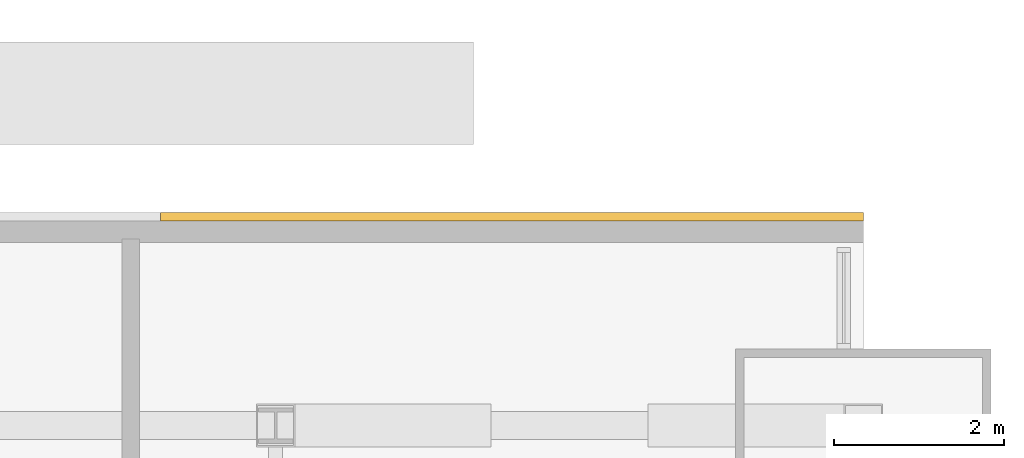
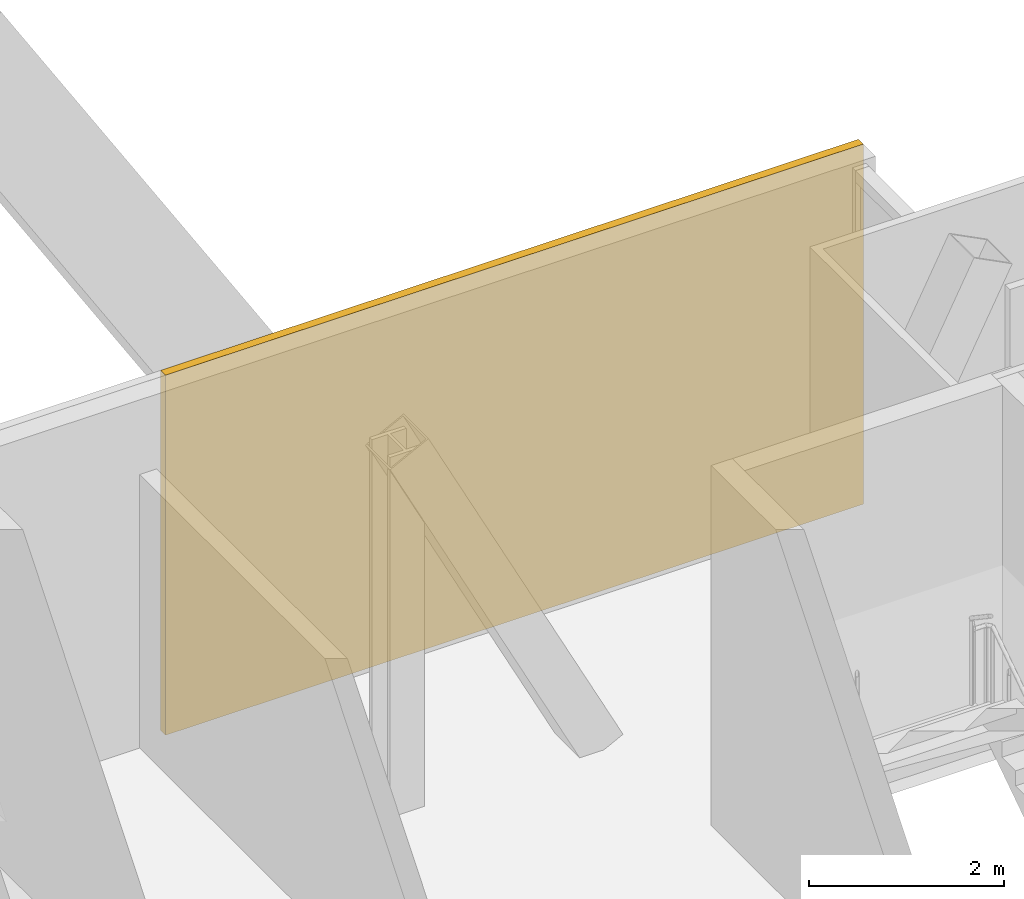
# One storey, part 23 of 23: 1 covering.
"""IFC4 building model written with IfcOpenShell, lengths in metres."""

import ifcopenshell
import ifcopenshell.guid

model = None  # the IFC model being written
_history = None  # IfcOwnerHistory: only IFC2X3 demands one
_inside = {}  # id of a spatial element -> (the spatial element, [elements in it])
_under = {}  # id of a project, library or spatial element -> (it, [spatial elements below it])
_declared = {}  # id of a project -> (the project, [libraries it declares])
_typed = {}  # id of a type object -> (the type object, [elements of that type])
_made_of = {}  # id of a material, layer set ... -> (it, [elements and type objects made of it])


def new_model(schema):
    """Start an empty IFC model of exactly this schema.

    Asked for "IFC4X3", IfcOpenShell would pick the latest addendum, in which some entities
    have other attributes; the version numbers below select the first issue.
    IFC2X3 requires an IfcOwnerHistory on every rooted entity: one is made here for all.
    """
    global model, _history
    if schema == "IFC4X3":
        model = ifcopenshell.file(schema_version=(4, 3, 0, 0))
    else:
        model = ifcopenshell.file(schema=schema)
    _inside.clear()
    _under.clear()
    _declared.clear()
    _typed.clear()
    _made_of.clear()
    _history = None
    if model.schema == "IFC2X3":
        org = make("IfcOrganization", Name="unknown")
        user = make(
            "IfcPersonAndOrganization",
            ThePerson=make("IfcPerson", FamilyName="unknown"),
            TheOrganization=org,
        )
        app = make(
            "IfcApplication",
            ApplicationDeveloper=org,
            Version="unknown",
            ApplicationFullName="unknown",
            ApplicationIdentifier="unknown",
        )
        _history = make(
            "IfcOwnerHistory",
            OwningUser=user,
            OwningApplication=app,
            ChangeAction="ADDED",
            CreationDate=0,
        )
    return model


def make(cls, **values):
    """One entity of the class cls with the attributes given. An attribute that is None is left unset."""
    return model.create_entity(
        cls, **{name: value for name, value in values.items() if value is not None}
    )


def rooted(cls, **values):
    """An entity with a GlobalId (a new one), such as an element, a storey or a relation."""
    return make(cls, GlobalId=ifcopenshell.guid.new(), OwnerHistory=_history, **values)


def si_unit(unit_type, name, prefix=None):
    """IfcSIUnit, for example si_unit("LENGTHUNIT", "METRE", prefix="MILLI")."""
    return make("IfcSIUnit", UnitType=unit_type, Prefix=prefix, Name=name)


def assignment(units):
    """IfcUnitAssignment: the units of a project."""
    return None if units is None else make("IfcUnitAssignment", Units=units)


def point(xyz):
    """IfcCartesianPoint."""
    return None if xyz is None else make("IfcCartesianPoint", Coordinates=xyz)


def direction(xyz):
    """IfcDirection."""
    return None if xyz is None else make("IfcDirection", DirectionRatios=xyz)


def frame(location, z_axis=None, x_axis=None):
    """IfcAxis2Placement3D, a coordinate frame: its origin and axes. An axis left out is left unset."""
    return make(
        "IfcAxis2Placement3D",
        Location=point(location),
        Axis=direction(z_axis),
        RefDirection=direction(x_axis),
    )


def frame_2d(location, x_axis=None):
    """IfcAxis2Placement2D, a coordinate frame in the plane: its origin and x axis."""
    return make(
        "IfcAxis2Placement2D", Location=point(location), RefDirection=direction(x_axis)
    )


def origin():
    """The frame at (0, 0, 0) with its axes left unset."""
    return frame((0.0, 0.0, 0.0))


def origin_2d():
    """The frame at (0, 0) in the plane with its x axis left unset."""
    return frame_2d((0.0, 0.0))


def place(relative_to, where):
    """IfcLocalPlacement: puts the frame where relative to a parent placement (None: the world)."""
    return make(
        "IfcLocalPlacement", PlacementRelTo=relative_to, RelativePlacement=where
    )


def context(
    kind, dimensions, precision=None, world=None, true_north=None, identifier=None
):
    """IfcGeometricRepresentationContext, for example the 3D "Model" context."""
    return make(
        "IfcGeometricRepresentationContext",
        ContextIdentifier=identifier,
        ContextType=kind,
        CoordinateSpaceDimension=dimensions,
        Precision=precision,
        WorldCoordinateSystem=world,
        TrueNorth=true_north,
    )


def subcontext(parent, identifier, kind, view, scale=None):
    """IfcGeometricRepresentationSubContext, for example "Body" below "Model"."""
    return make(
        "IfcGeometricRepresentationSubContext",
        ContextIdentifier=identifier,
        ContextType=kind,
        ParentContext=parent,
        TargetScale=scale,
        TargetView=view,
    )


def project(units=None, contexts=None):
    """IfcProject with its units and contexts."""
    return rooted(
        "IfcProject",
        Name="project",
        RepresentationContexts=contexts,
        UnitsInContext=assignment(units),
    )


def spatial(cls, under=None, at=None, **own):
    """A site, building, storey or space (cls), placed at a placement, below another one or the project."""
    s = rooted(cls, ObjectPlacement=at, **own)
    if under is not None:
        _under.setdefault(under.id(), (under, []))[1].append(s)
    return s


def profile(cls, at=None, kind="AREA", **sizes):
    """A parametric profile (cls). Its sizes go by their IFC names, for example OverallWidth=200.0."""
    return make(cls, ProfileType=kind, Position=at, **sizes)


def rectangle(**sizes):
    """IfcRectangleProfileDef."""
    return profile("IfcRectangleProfileDef", **sizes)


def extrude(swept, where, along, depth):
    """IfcExtrudedAreaSolid: the profile swept, set in the frame where, extruded along a direction by depth."""
    return make(
        "IfcExtrudedAreaSolid",
        SweptArea=swept,
        Position=where,
        ExtrudedDirection=direction(along),
        Depth=depth,
    )


def shape(context_of_items, identifier, shape_type, items):
    """IfcShapeRepresentation: the items that make up one representation, for example the "Body"."""
    return make(
        "IfcShapeRepresentation",
        ContextOfItems=context_of_items,
        RepresentationIdentifier=identifier,
        RepresentationType=shape_type,
        Items=items,
    )


def material(Name=None, Category=None):
    """IfcMaterial."""
    return make("IfcMaterial", Name=Name, Category=Category)


def layer(
    of_material, thickness, ventilated=None, Name=None, Category=None, Priority=None
):
    """IfcMaterialLayer: one layer of a wall or slab, of a material (None: an air gap)."""
    return make(
        "IfcMaterialLayer",
        Material=of_material,
        LayerThickness=thickness,
        IsVentilated=ventilated,
        Name=Name,
        Category=Category,
        Priority=Priority,
    )


def layer_set(layers, Name=None):
    """IfcMaterialLayerSet."""
    return make("IfcMaterialLayerSet", MaterialLayers=layers, LayerSetName=Name)


def made_of(thing, what):
    """Note that an element or type object is made of a material, layer set ...; save() writes the relation."""
    if what is not None:
        _made_of.setdefault(what.id(), (what, []))[1].append(thing)
    return thing


def type_object(cls, material=None, **own):
    """A type object (cls), such as IfcWallType, which elements share."""
    return made_of(rooted(cls, **own), material)


def element(
    cls,
    number,
    at=None,
    inside=None,
    cuts=None,
    type_object=None,
    material=None,
    context=None,
    identifier="Body",
    shape_type=None,
    held_by="IfcProductDefinitionShape",
    body=None,
    shapes=None,
    **own,
):
    """One element of the class cls, such as IfcWall. Its Tag is "e" and its number.

    at: its placement. inside: the storey or other place that contains it. cuts: it is an
    opening in that element (IfcRelVoidsElement). A single representation is given by context,
    identifier, shape_type and body (its items); several are given by shapes. held_by: the class
    of the entity that holds the representations. save() writes the other relations.
    """
    e = rooted(cls, Tag="e%d" % number, ObjectPlacement=at, **own)
    if body is not None:
        shapes = [shape(context, identifier, shape_type, body)]
    if shapes is not None:
        e.Representation = make(held_by, Representations=shapes)
    if inside is not None:
        _inside.setdefault(inside.id(), (inside, []))[1].append(e)
    if cuts is not None:
        rooted(
            "IfcRelVoidsElement", RelatingBuildingElement=cuts, RelatedOpeningElement=e
        )
    if type_object is not None:
        _typed.setdefault(type_object.id(), (type_object, []))[1].append(e)
    return made_of(e, material)


def aggregate(whole, parts):
    """IfcRelAggregates: a whole, such as a stair, and the parts it consists of."""
    return rooted("IfcRelAggregates", RelatingObject=whole, RelatedObjects=parts)


def save(model, path):
    """Write the relations noted so far, then the file.

    IfcRelAggregates (storeys below a building ...), IfcRelContainedInSpatialStructure (elements
    in a storey), IfcRelDefinesByType, IfcRelAssociatesMaterial and IfcRelDeclares: one each for
    every whole, place, type object, material and project.
    """
    for whole, parts in _under.values():
        aggregate(whole, parts)
    for where, things in _inside.values():
        rooted(
            "IfcRelContainedInSpatialStructure",
            RelatedElements=things,
            RelatingStructure=where,
        )
    for kind, things in _typed.values():
        rooted("IfcRelDefinesByType", RelatedObjects=things, RelatingType=kind)
    for what, things in _made_of.values():
        rooted("IfcRelAssociatesMaterial", RelatedObjects=things, RelatingMaterial=what)
    for by, libraries in _declared.values():
        rooted("IfcRelDeclares", RelatingContext=by, RelatedDefinitions=libraries)
    model.write(path)


model = new_model("IFC4")

# Units and contexts
model_context = context("Model", 3, precision=1e-05, world=origin(), true_north=direction((0.0, 1.0)))
body_context = subcontext(model_context, "Body", "Model", "MODEL_VIEW")
ifc_project = project(units=[si_unit("LENGTHUNIT", "METRE"), si_unit("AREAUNIT", "SQUARE_METRE"), si_unit("VOLUMEUNIT", "CUBIC_METRE"), si_unit("PLANEANGLEUNIT", "RADIAN"), si_unit("MASSUNIT", "GRAM", prefix="KILO")], contexts=[model_context])

# Site, building, storey
site_placement = place(None, origin())
site = spatial("IfcSite", under=ifc_project, at=site_placement, CompositionType="ELEMENT")
building_placement = place(site_placement, origin())
building = spatial("IfcBuilding", under=site, at=building_placement, Name="Bicima Exchange Tower", CompositionType="ELEMENT")
storey_placement = place(building_placement, frame((0.0, 0.0, 44.0)))
storey = spatial("IfcBuildingStorey", under=building, at=storey_placement, Name="L08", CompositionType="ELEMENT", Elevation=44.0)

# Covering
ifc_material_1 = material(Name="Bronze metal cladding")
ifc_layer_1 = layer(ifc_material_1, 0.004)
ifc_material_2 = material(Name="Ventilated cavity")
ifc_layer_2 = layer(ifc_material_2, 0.06)
ifc_material_3 = material(Name="Galvanised steel rail and mineral wool", Category="steel")
ifc_layer_3 = layer(ifc_material_3, 0.036)
ifc_layer_set = layer_set([ifc_layer_1, ifc_layer_2, ifc_layer_3], Name="Ventilated cavity")
covering_type = type_object("IfcCoveringType", Name="Bronze metal cladding panel 100", PredefinedType="CLADDING", material=ifc_layer_set)
covering_placement = place(storey_placement, frame((28.875, 0.050048828125, -0.14990234375), z_axis=(0.0, 0.0, 1.0), x_axis=(-1.0, 0.0, 0.0)))
element("IfcCovering", 1, at=covering_placement, inside=storey, type_object=covering_type, Name="Bronze cladding L08 1.1", PredefinedType="CLADDING", context=body_context, shape_type="SweptSolid", body=[
    extrude(rectangle(XDim=8.25, YDim=0.10009765625, at=origin_2d()), origin(), (0.0, 0.0, 1.0), 4.5),
])

save(model, "model.ifc")
